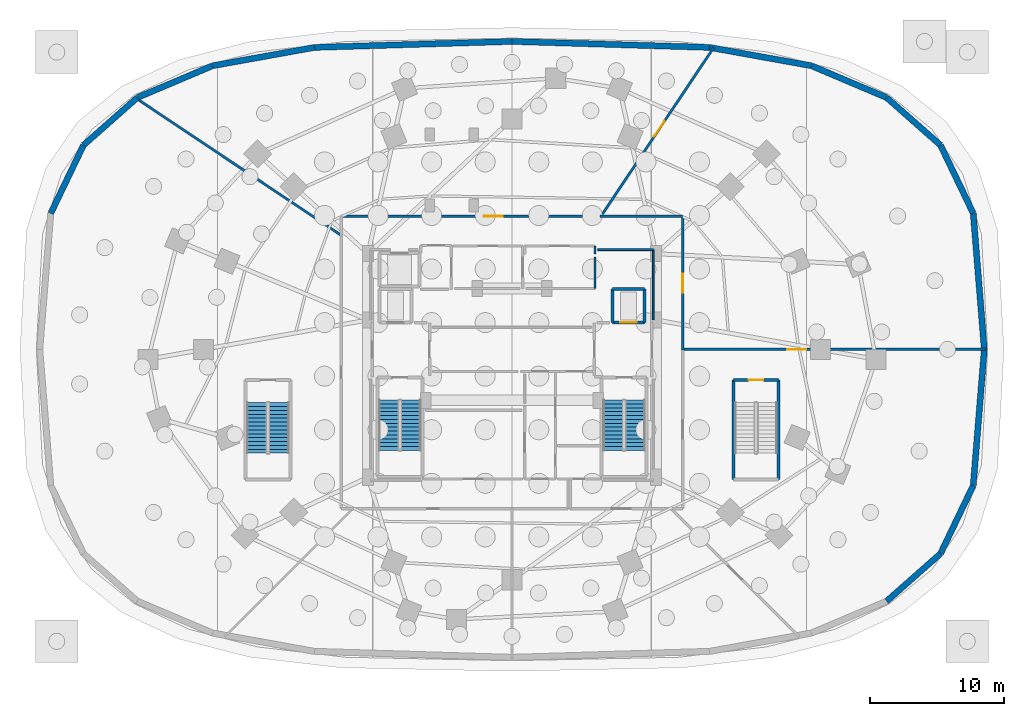
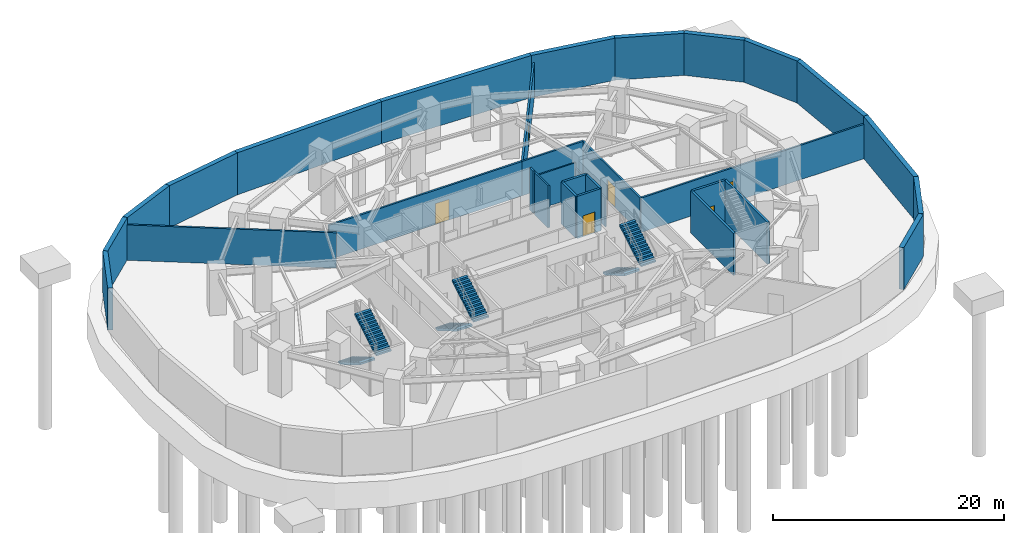
# One storey, part 6 of 9: 31 walls, 6 doors, 6 stair flights, 6 openings, 3 elements without a shape of their own.
"""IFC4 building model written with IfcOpenShell, lengths in metres."""

import ifcopenshell
import ifcopenshell.guid

model = None  # the IFC model being written
_history = None  # IfcOwnerHistory: only IFC2X3 demands one
_inside = {}  # id of a spatial element -> (the spatial element, [elements in it])
_under = {}  # id of a project, library or spatial element -> (it, [spatial elements below it])
_declared = {}  # id of a project -> (the project, [libraries it declares])
_typed = {}  # id of a type object -> (the type object, [elements of that type])
_made_of = {}  # id of a material, layer set ... -> (it, [elements and type objects made of it])


def new_model(schema):
    """Start an empty IFC model of exactly this schema.

    Asked for "IFC4X3", IfcOpenShell would pick the latest addendum, in which some entities
    have other attributes; the version numbers below select the first issue.
    IFC2X3 requires an IfcOwnerHistory on every rooted entity: one is made here for all.
    """
    global model, _history
    if schema == "IFC4X3":
        model = ifcopenshell.file(schema_version=(4, 3, 0, 0))
    else:
        model = ifcopenshell.file(schema=schema)
    _inside.clear()
    _under.clear()
    _declared.clear()
    _typed.clear()
    _made_of.clear()
    _history = None
    if model.schema == "IFC2X3":
        org = make("IfcOrganization", Name="unknown")
        user = make(
            "IfcPersonAndOrganization",
            ThePerson=make("IfcPerson", FamilyName="unknown"),
            TheOrganization=org,
        )
        app = make(
            "IfcApplication",
            ApplicationDeveloper=org,
            Version="unknown",
            ApplicationFullName="unknown",
            ApplicationIdentifier="unknown",
        )
        _history = make(
            "IfcOwnerHistory",
            OwningUser=user,
            OwningApplication=app,
            ChangeAction="ADDED",
            CreationDate=0,
        )
    return model


def make(cls, **values):
    """One entity of the class cls with the attributes given. An attribute that is None is left unset."""
    return model.create_entity(
        cls, **{name: value for name, value in values.items() if value is not None}
    )


def rooted(cls, **values):
    """An entity with a GlobalId (a new one), such as an element, a storey or a relation."""
    return make(cls, GlobalId=ifcopenshell.guid.new(), OwnerHistory=_history, **values)


def si_unit(unit_type, name, prefix=None):
    """IfcSIUnit, for example si_unit("LENGTHUNIT", "METRE", prefix="MILLI")."""
    return make("IfcSIUnit", UnitType=unit_type, Prefix=prefix, Name=name)


def assignment(units):
    """IfcUnitAssignment: the units of a project."""
    return None if units is None else make("IfcUnitAssignment", Units=units)


def point(xyz):
    """IfcCartesianPoint."""
    return None if xyz is None else make("IfcCartesianPoint", Coordinates=xyz)


def direction(xyz):
    """IfcDirection."""
    return None if xyz is None else make("IfcDirection", DirectionRatios=xyz)


def frame(location, z_axis=None, x_axis=None):
    """IfcAxis2Placement3D, a coordinate frame: its origin and axes. An axis left out is left unset."""
    return make(
        "IfcAxis2Placement3D",
        Location=point(location),
        Axis=direction(z_axis),
        RefDirection=direction(x_axis),
    )


def frame_2d(location, x_axis=None):
    """IfcAxis2Placement2D, a coordinate frame in the plane: its origin and x axis."""
    return make(
        "IfcAxis2Placement2D", Location=point(location), RefDirection=direction(x_axis)
    )


def origin():
    """The frame at (0, 0, 0) with its axes left unset."""
    return frame((0.0, 0.0, 0.0))


def place(relative_to, where):
    """IfcLocalPlacement: puts the frame where relative to a parent placement (None: the world)."""
    return make(
        "IfcLocalPlacement", PlacementRelTo=relative_to, RelativePlacement=where
    )


def context(
    kind, dimensions, precision=None, world=None, true_north=None, identifier=None
):
    """IfcGeometricRepresentationContext, for example the 3D "Model" context."""
    return make(
        "IfcGeometricRepresentationContext",
        ContextIdentifier=identifier,
        ContextType=kind,
        CoordinateSpaceDimension=dimensions,
        Precision=precision,
        WorldCoordinateSystem=world,
        TrueNorth=true_north,
    )


def subcontext(parent, identifier, kind, view, scale=None):
    """IfcGeometricRepresentationSubContext, for example "Body" below "Model"."""
    return make(
        "IfcGeometricRepresentationSubContext",
        ContextIdentifier=identifier,
        ContextType=kind,
        ParentContext=parent,
        TargetScale=scale,
        TargetView=view,
    )


def project(units=None, contexts=None):
    """IfcProject with its units and contexts."""
    return rooted(
        "IfcProject",
        Name="project",
        RepresentationContexts=contexts,
        UnitsInContext=assignment(units),
    )


def spatial(cls, under=None, at=None, **own):
    """A site, building, storey or space (cls), placed at a placement, below another one or the project."""
    s = rooted(cls, ObjectPlacement=at, **own)
    if under is not None:
        _under.setdefault(under.id(), (under, []))[1].append(s)
    return s


def polyline(points):
    """IfcPolyline through the points."""
    return make("IfcPolyline", Points=[point(p) for p in points])


def profile(cls, at=None, kind="AREA", **sizes):
    """A parametric profile (cls). Its sizes go by their IFC names, for example OverallWidth=200.0."""
    return make(cls, ProfileType=kind, Position=at, **sizes)


def rectangle(**sizes):
    """IfcRectangleProfileDef."""
    return profile("IfcRectangleProfileDef", **sizes)


def outline(outer, holes=None, kind="AREA"):
    """IfcArbitraryClosedProfileDef: a profile drawn as a closed curve; with holes, ...WithVoids."""
    if holes is None:
        return make("IfcArbitraryClosedProfileDef", ProfileType=kind, OuterCurve=outer)
    return make(
        "IfcArbitraryProfileDefWithVoids",
        ProfileType=kind,
        OuterCurve=outer,
        InnerCurves=holes,
    )


def extrude(swept, where, along, depth):
    """IfcExtrudedAreaSolid: the profile swept, set in the frame where, extruded along a direction by depth."""
    return make(
        "IfcExtrudedAreaSolid",
        SweptArea=swept,
        Position=where,
        ExtrudedDirection=direction(along),
        Depth=depth,
    )


def shape(context_of_items, identifier, shape_type, items):
    """IfcShapeRepresentation: the items that make up one representation, for example the "Body"."""
    return make(
        "IfcShapeRepresentation",
        ContextOfItems=context_of_items,
        RepresentationIdentifier=identifier,
        RepresentationType=shape_type,
        Items=items,
    )


def material(Name=None, Category=None):
    """IfcMaterial."""
    return make("IfcMaterial", Name=Name, Category=Category)


def layer(
    of_material, thickness, ventilated=None, Name=None, Category=None, Priority=None
):
    """IfcMaterialLayer: one layer of a wall or slab, of a material (None: an air gap)."""
    return make(
        "IfcMaterialLayer",
        Material=of_material,
        LayerThickness=thickness,
        IsVentilated=ventilated,
        Name=Name,
        Category=Category,
        Priority=Priority,
    )


def layer_set(layers, Name=None):
    """IfcMaterialLayerSet."""
    return make("IfcMaterialLayerSet", MaterialLayers=layers, LayerSetName=Name)


def made_of(thing, what):
    """Note that an element or type object is made of a material, layer set ...; save() writes the relation."""
    if what is not None:
        _made_of.setdefault(what.id(), (what, []))[1].append(thing)
    return thing


def type_object(cls, material=None, **own):
    """A type object (cls), such as IfcWallType, which elements share."""
    return made_of(rooted(cls, **own), material)


def element(
    cls,
    number,
    at=None,
    inside=None,
    cuts=None,
    type_object=None,
    material=None,
    context=None,
    identifier="Body",
    shape_type=None,
    held_by="IfcProductDefinitionShape",
    body=None,
    shapes=None,
    **own,
):
    """One element of the class cls, such as IfcWall. Its Tag is "e" and its number.

    at: its placement. inside: the storey or other place that contains it. cuts: it is an
    opening in that element (IfcRelVoidsElement). A single representation is given by context,
    identifier, shape_type and body (its items); several are given by shapes. held_by: the class
    of the entity that holds the representations. save() writes the other relations.
    """
    e = rooted(cls, Tag="e%d" % number, ObjectPlacement=at, **own)
    if body is not None:
        shapes = [shape(context, identifier, shape_type, body)]
    if shapes is not None:
        e.Representation = make(held_by, Representations=shapes)
    if inside is not None:
        _inside.setdefault(inside.id(), (inside, []))[1].append(e)
    if cuts is not None:
        rooted(
            "IfcRelVoidsElement", RelatingBuildingElement=cuts, RelatedOpeningElement=e
        )
    if type_object is not None:
        _typed.setdefault(type_object.id(), (type_object, []))[1].append(e)
    return made_of(e, material)


def fill(opening, filler):
    """IfcRelFillsElement: the door or window that sits in an opening."""
    return rooted(
        "IfcRelFillsElement",
        RelatingOpeningElement=opening,
        RelatedBuildingElement=filler,
    )


def aggregate(whole, parts):
    """IfcRelAggregates: a whole, such as a stair, and the parts it consists of."""
    return rooted("IfcRelAggregates", RelatingObject=whole, RelatedObjects=parts)


def save(model, path):
    """Write the relations noted so far, then the file.

    IfcRelAggregates (storeys below a building ...), IfcRelContainedInSpatialStructure (elements
    in a storey), IfcRelDefinesByType, IfcRelAssociatesMaterial and IfcRelDeclares: one each for
    every whole, place, type object, material and project.
    """
    for whole, parts in _under.values():
        aggregate(whole, parts)
    for where, things in _inside.values():
        rooted(
            "IfcRelContainedInSpatialStructure",
            RelatedElements=things,
            RelatingStructure=where,
        )
    for kind, things in _typed.values():
        rooted("IfcRelDefinesByType", RelatedObjects=things, RelatingType=kind)
    for what, things in _made_of.values():
        rooted("IfcRelAssociatesMaterial", RelatedObjects=things, RelatingMaterial=what)
    for by, libraries in _declared.values():
        rooted("IfcRelDeclares", RelatingContext=by, RelatedDefinitions=libraries)
    model.write(path)


model = new_model("IFC4")

# Units and contexts
model_context = context("Model", 3, precision=1e-05, world=origin(), true_north=direction((0.0, 1.0)))
body_context = subcontext(model_context, "Body", "Model", "MODEL_VIEW")
ifc_project = project(units=[si_unit("LENGTHUNIT", "METRE"), si_unit("AREAUNIT", "SQUARE_METRE"), si_unit("VOLUMEUNIT", "CUBIC_METRE"), si_unit("PLANEANGLEUNIT", "RADIAN"), si_unit("MASSUNIT", "GRAM", prefix="KILO")], contexts=[model_context])

# Site, building, storey
site_placement = place(None, origin())
site = spatial("IfcSite", under=ifc_project, at=site_placement, CompositionType="ELEMENT")
building_placement = place(site_placement, origin())
building = spatial("IfcBuilding", under=site, at=building_placement, Name="Vorneva Point Tower", CompositionType="ELEMENT")
storey_placement = place(building_placement, frame((0.0, 0.0, -9.60009765625)))
storey = spatial("IfcBuildingStorey", under=building, at=storey_placement, Name="B02", CompositionType="ELEMENT", Elevation=-9.60009765625)

# Wall, opening, door
ifc_material_1 = material(Name="Concrete B60 (C50/60)", Category="concrete")
ifc_layer_1 = layer(ifc_material_1, 0.5)
ifc_layer_set_1 = layer_set([ifc_layer_1], Name="Concrete B60 (C50/60)")
wall_type_1 = type_object("IfcWallType", Name="WL-CORE-500", PredefinedType="SHEAR", material=ifc_layer_set_1)
wall_1_placement = place(storey_placement, frame((45.5, 28.0, 0.0), z_axis=(0.0, 0.0, 1.0), x_axis=(1.0, 0.0, 0.0)))
wall_1 = element("IfcWall", 1, at=wall_1_placement, inside=storey, type_object=wall_type_1, Name="B02 Lift FFL2 Shaft Wall -Y", PredefinedType="SHEAR", context=body_context, shape_type="SweptSolid", body=[
    extrude(rectangle(XDim=2.39990234375, YDim=0.219970703125, at=frame_2d((1.199951171875, 0.0))), origin(), (0.0, 0.0, 1.0), 4.4501953125),
])
opening_1_placement = place(wall_1_placement, frame((0.60009765625, 0.0, 0.0)))
opening_1 = element("IfcOpeningElement", 2, at=opening_1_placement, cuts=wall_1, Name="Opening LD-02", PredefinedType="OPENING", context=body_context, shape_type="SweptSolid", body=[
    extrude(rectangle(XDim=1.199951171875, YDim=2.199951171875, at=frame_2d((0.60009765625, 1.10009765625))), frame((0.0, 0.125, 0.0), z_axis=(0.0, -1.0, 0.0), x_axis=(1.0, 0.0, 0.0)), (0.0, 0.0, 1.0), 0.249755859375),
])
ifc_material_2 = material(Name="Brushed stainless steel S304", Category="steel")
door_type_1 = type_object("IfcDoorType", Name="LD-FIRE-1200", OperationType="SLIDING_TO_LEFT", PredefinedType="DOOR", material=ifc_material_2)
door_1_placement = place(opening_1_placement, origin())
door_1 = element("IfcDoor", 3, at=door_1_placement, inside=storey, type_object=door_type_1, Name="B02 Lift FFL2 Sliding Landing Door", OperationType="SLIDING_TO_LEFT", OverallHeight=2.199951171875, OverallWidth=1.199951171875, PredefinedType="DOOR", context=body_context, shape_type="SweptSolid", body=[
    extrude(rectangle(XDim=1.199951171875, YDim=2.199951171875, at=frame_2d((0.60009765625, 1.10009765625))), frame((0.0, 0.02490234375, 0.0), z_axis=(0.0, -1.0, 0.0), x_axis=(1.0, 0.0, 0.0)), (0.0, 0.0, 1.0), 0.050048828125),
])
fill(opening_1, door_1)

# Walls
wall_2_placement = place(storey_placement, frame((47.89990234375, 28.0, 0.0), z_axis=(0.0, 0.0, 1.0), x_axis=(0.0, 1.0, 0.0)))
element("IfcWall", 4, at=wall_2_placement, inside=storey, type_object=wall_type_1, Name="B02 Lift FFL2 Shaft Wall +X", PredefinedType="SHEAR", context=body_context, shape_type="SweptSolid", body=[
    extrude(rectangle(XDim=2.5, YDim=0.219970703125, at=frame_2d((1.25, 0.0))), origin(), (0.0, 0.0, 1.0), 4.4501953125),
])
wall_3_placement = place(storey_placement, frame((47.89990234375, 30.5, 0.0), z_axis=(0.0, 0.0, 1.0), x_axis=(-1.0, 0.0, 0.0)))
element("IfcWall", 5, at=wall_3_placement, inside=storey, type_object=wall_type_1, Name="B02 Lift FFL2 Shaft Wall +Y", PredefinedType="SHEAR", context=body_context, shape_type="SweptSolid", body=[
    extrude(rectangle(XDim=2.39990234375, YDim=0.219970703125, at=frame_2d((1.199951171875, 0.0))), origin(), (0.0, 0.0, 1.0), 4.4501953125),
])
wall_4_placement = place(storey_placement, frame((45.5, 30.5, 0.0), z_axis=(0.0, 0.0, 1.0), x_axis=(0.0, -1.0, 0.0)))
element("IfcWall", 6, at=wall_4_placement, inside=storey, type_object=wall_type_1, Name="B02 Lift FFL2 Shaft Wall -X", PredefinedType="SHEAR", context=body_context, shape_type="SweptSolid", body=[
    extrude(rectangle(XDim=2.5, YDim=0.219970703125, at=frame_2d((1.25, 0.0))), origin(), (0.0, 0.0, 1.0), 4.4501953125),
])
ifc_material_3 = material(Name="Fire-rated acoustic gypsum stud partition", Category="gypsum")
ifc_layer_2 = layer(ifc_material_3, 0.139892578125)
ifc_layer_set_2 = layer_set([ifc_layer_2], Name="Fire-rated acoustic gypsum stud partition")
wall_type_2 = type_object("IfcWallType", Name="WL-PART-140", PredefinedType="PARTITIONING", material=ifc_layer_set_2)
wall_5_placement = place(storey_placement, frame((44.419921875, 33.449951171875, 0.0), z_axis=(0.0, 0.0, 1.0), x_axis=(1.0, 0.0, 0.0)))
element("IfcWall", 7, at=wall_5_placement, inside=storey, type_object=wall_type_2, Name="B02 Interior Closure Partition 052", PredefinedType="PARTITIONING", context=body_context, shape_type="SweptSolid", body=[
    extrude(rectangle(XDim=4.130126953125, YDim=0.139892578125, at=frame_2d((2.06494140625, 0.0))), origin(), (0.0, 0.0, 1.0), 3.64208984375),
])
wall_6_placement = place(storey_placement, frame((48.550048828125, 33.449951171875, 0.0), z_axis=(0.0, 0.0, 1.0), x_axis=(0.0, -1.0, 0.0)))
element("IfcWall", 8, at=wall_6_placement, inside=storey, type_object=wall_type_2, Name="B02 Interior Closure Partition 053", PredefinedType="PARTITIONING", context=body_context, shape_type="SweptSolid", body=[
    extrude(rectangle(XDim=5.25390625, YDim=0.139892578125, at=frame_2d((2.626953125, 0.0))), origin(), (0.0, 0.0, 1.0), 3.030029296875),
])
ifc_material_4 = material(Name="Autoclaved aerated concrete blockwork", Category="masonry")
ifc_layer_3 = layer(ifc_material_4, 0.179931640625)
ifc_layer_set_3 = layer_set([ifc_layer_3], Name="Autoclaved aerated concrete blockwork")
wall_type_3 = type_object("IfcWallType", Name="WL-PART-180", PredefinedType="PARTITIONING", material=ifc_layer_set_3)
wall_7_placement = place(storey_placement, frame((44.199951171875, 33.110107421875, 0.0), z_axis=(0.0, 0.0, 1.0), x_axis=(0.0, 1.0, 0.0)))
element("IfcWall", 9, at=wall_7_placement, inside=storey, type_object=wall_type_3, Name="B02 Interior Partition 019", PredefinedType="PARTITIONING", context=body_context, shape_type="SweptSolid", body=[
    extrude(rectangle(XDim=0.60986328125, YDim=0.179931640625, at=frame_2d((0.304931640625, 0.0))), origin(), (0.0, 0.0, 1.0), 4.4501953125),
])

# Wall, opening, door
wall_8_placement = place(storey_placement, frame((50.75, 25.93994140625, 0.0), z_axis=(0.0, 0.0, 1.0), x_axis=(0.0, 1.0, 0.0)))
wall_8 = element("IfcWall", 10, at=wall_8_placement, inside=storey, type_object=wall_type_3, Name="B02 Interior Partition 023", PredefinedType="PARTITIONING", context=body_context, shape_type="SweptSolid", body=[
    extrude(rectangle(XDim=10.010009765625, YDim=0.179931640625, at=frame_2d((5.0048828125, 0.0))), origin(), (0.0, 0.0, 1.0), 3.64208984375),
])
opening_2_placement = place(wall_8_placement, frame((4.304931640625, 0.0, 0.0)))
opening_2 = element("IfcOpeningElement", 11, at=opening_2_placement, cuts=wall_8, Name="Opening FD-03", PredefinedType="OPENING", context=body_context, shape_type="SweptSolid", body=[
    extrude(rectangle(XDim=1.39990234375, YDim=2.199951171875, at=frame_2d((0.699951171875, 1.10009765625))), frame((0.0, 0.10498046875, 0.0), z_axis=(0.0, -1.0, 0.0), x_axis=(1.0, 0.0, 0.0)), (0.0, 0.0, 1.0), 0.209716796875),
])
ifc_material_5 = material(Name="Fire-rated powder-coated steel", Category="steel")
door_type_2 = type_object("IfcDoorType", Name="DR-PLT-1400", OperationType="DOUBLE_SWING_LEFT", PredefinedType="DOOR", material=ifc_material_5)
door_2_placement = place(opening_2_placement, origin())
door_2 = element("IfcDoor", 12, at=door_2_placement, inside=storey, type_object=door_type_2, Name="B02 Door B02 Circulation Corridor / Substructure Mechanical Plant East", OperationType="DOUBLE_SWING_LEFT", OverallHeight=2.199951171875, OverallWidth=1.39990234375, PredefinedType="DOOR", context=body_context, shape_type="SweptSolid", body=[
    extrude(rectangle(XDim=1.39990234375, YDim=2.199951171875, at=frame_2d((0.699951171875, 1.10009765625))), frame((0.0, 0.02490234375, 0.0), z_axis=(0.0, -1.0, 0.0), x_axis=(1.0, 0.0, 0.0)), (0.0, 0.0, 1.0), 0.050048828125),
])
fill(opening_2, door_2)

# Wall
wall_9_placement = place(storey_placement, frame((50.75, 35.949951171875, 0.0), z_axis=(0.0, 0.0, 1.0), x_axis=(-1.0, 0.0, 0.0)))
element("IfcWall", 13, at=wall_9_placement, inside=storey, type_object=wall_type_3, Name="B02 Interior Partition 024", PredefinedType="PARTITIONING", context=body_context, shape_type="SweptSolid", body=[
    extrude(rectangle(XDim=6.162109375, YDim=0.179931640625, at=frame_2d((3.0810546875, 0.0))), origin(), (0.0, 0.0, 1.0), 3.64208984375),
])

# Wall, opening, door
wall_10_placement = place(storey_placement, frame((44.587890625, 35.949951171875, 0.0), z_axis=(0.0, 0.0, 1.0), x_axis=(-1.0, 0.0, 0.0)))
wall_10 = element("IfcWall", 14, at=wall_10_placement, inside=storey, type_object=wall_type_3, Name="B02 Interior Partition 025", PredefinedType="PARTITIONING", context=body_context, shape_type="SweptSolid", body=[
    extrude(rectangle(XDim=19.337890625, YDim=0.179931640625, at=frame_2d((9.6689453125, 0.0))), origin(), (0.0, 0.0, 1.0), 3.64208984375),
])
opening_3_placement = place(wall_10_placement, frame((7.2890625, 0.0, 0.0)))
opening_3 = element("IfcOpeningElement", 15, at=opening_3_placement, cuts=wall_10, Name="Opening FD-03", PredefinedType="OPENING", context=body_context, shape_type="SweptSolid", body=[
    extrude(rectangle(XDim=1.39990234375, YDim=2.199951171875, at=frame_2d((0.699951171875, 1.10009765625))), frame((0.0, 0.10498046875, 0.0), z_axis=(0.0, -1.0, 0.0), x_axis=(1.0, 0.0, 0.0)), (0.0, 0.0, 1.0), 0.209716796875),
])
door_3_placement = place(opening_3_placement, origin())
door_3 = element("IfcDoor", 16, at=door_3_placement, inside=storey, type_object=door_type_2, Name="B02 Door B02 Circulation Corridor / Basement Service Equipment Plant Room North", OperationType="DOUBLE_SWING_LEFT", OverallHeight=2.199951171875, OverallWidth=1.39990234375, PredefinedType="DOOR", context=body_context, shape_type="SweptSolid", body=[
    extrude(rectangle(XDim=1.39990234375, YDim=2.199951171875, at=frame_2d((0.699951171875, 1.10009765625))), frame((0.0, 0.02490234375, 0.0), z_axis=(0.0, -1.0, 0.0), x_axis=(1.0, 0.0, 0.0)), (0.0, 0.0, 1.0), 0.050048828125),
])
fill(opening_3, door_3)

wall_11_placement = place(storey_placement, frame((53.055908203125, 48.532958984375, 0.0), z_axis=(0.0, 0.0, 1.0), x_axis=(-0.555582200118, -0.831461616019, 0.0)))
wall_11 = element("IfcWall", 17, at=wall_11_placement, inside=storey, type_object=wall_type_3, Name="B02 Interior Partition 036", PredefinedType="PARTITIONING", context=body_context, shape_type="SweptSolid", body=[
    extrude(rectangle(XDim=15.133544921875, YDim=0.179931640625, at=frame_2d((7.56689453125, 0.0))), origin(), (0.0, 0.0, 1.0), 3.64208984375),
])
opening_4_placement = place(wall_11_placement, frame((6.5869140625, 0.0, 0.0)))
opening_4 = element("IfcOpeningElement", 18, at=opening_4_placement, cuts=wall_11, Name="Opening FD-03", PredefinedType="OPENING", context=body_context, shape_type="SweptSolid", body=[
    extrude(rectangle(XDim=1.39990234375, YDim=2.199951171875, at=frame_2d((0.699951171875, 1.10009765625))), frame((0.0, 0.10498046875, 0.0), z_axis=(0.0, -1.0, 0.0), x_axis=(1.0, 0.0, 0.0)), (0.0, 0.0, 1.0), 0.209716796875),
])
door_4_placement = place(opening_4_placement, origin())
door_4 = element("IfcDoor", 19, at=door_4_placement, inside=storey, type_object=door_type_2, Name="B02 Door Substructure Mechanical Plant East / Basement Service Equipment Plant Room North", OperationType="DOUBLE_SWING_LEFT", OverallHeight=2.199951171875, OverallWidth=1.39990234375, PredefinedType="DOOR", context=body_context, shape_type="SweptSolid", body=[
    extrude(rectangle(XDim=1.39990234375, YDim=2.199951171875, at=frame_2d((0.699951171875, 1.10009765625))), frame((0.0, 0.02490234375, 0.0), z_axis=(0.0, -1.0, 0.0), x_axis=(1.0, 0.0, 0.0)), (0.0, 0.0, 1.0), 0.050048828125),
])
fill(opening_4, door_4)

wall_12_placement = place(storey_placement, frame((50.75, 26.0, 0.0), z_axis=(0.0, 0.0, 1.0), x_axis=(1.0, 0.0, 0.0)))
wall_12 = element("IfcWall", 20, at=wall_12_placement, inside=storey, type_object=wall_type_3, Name="B02 Interior Partition 037", PredefinedType="PARTITIONING", context=body_context, shape_type="SweptSolid", body=[
    extrude(rectangle(XDim=22.625, YDim=0.179931640625, at=frame_2d((11.3125, 0.0))), origin(), (0.0, 0.0, 1.0), 3.64208984375),
])
opening_5_placement = place(wall_12_placement, frame((7.8125, 0.0, 0.0)))
opening_5 = element("IfcOpeningElement", 21, at=opening_5_placement, cuts=wall_12, Name="Opening FD-03", PredefinedType="OPENING", context=body_context, shape_type="SweptSolid", body=[
    extrude(rectangle(XDim=1.39990234375, YDim=2.199951171875, at=frame_2d((0.699951171875, 1.10009765625))), frame((0.0, 0.10498046875, 0.0), z_axis=(0.0, -1.0, 0.0), x_axis=(1.0, 0.0, 0.0)), (0.0, 0.0, 1.0), 0.209716796875),
])
door_5_placement = place(opening_5_placement, origin())
door_5 = element("IfcDoor", 22, at=door_5_placement, inside=storey, type_object=door_type_2, Name="B02 Door Substructure Mechanical Plant East / Substation and Switchgear Plant Room", OperationType="DOUBLE_SWING_LEFT", OverallHeight=2.199951171875, OverallWidth=1.39990234375, PredefinedType="DOOR", context=body_context, shape_type="SweptSolid", body=[
    extrude(rectangle(XDim=1.39990234375, YDim=2.199951171875, at=frame_2d((0.699951171875, 1.10009765625))), frame((0.0, 0.02490234375, 0.0), z_axis=(0.0, -1.0, 0.0), x_axis=(1.0, 0.0, 0.0)), (0.0, 0.0, 1.0), 0.050048828125),
])
fill(opening_5, door_5)

# Walls
wall_13_placement = place(storey_placement, frame((9.830078125, 44.822021484375, 0.0), z_axis=(0.0, 0.0, 1.0), x_axis=(0.831476683344, -0.555559650313, 0.0)))
element("IfcWall", 23, at=wall_13_placement, inside=storey, type_object=wall_type_3, Name="B02 Interior Partition 038", PredefinedType="PARTITIONING", context=body_context, shape_type="SweptSolid", body=[
    extrude(rectangle(XDim=18.545166015625, YDim=0.179931640625, at=frame_2d((9.2724609375, 0.0))), origin(), (0.0, 0.0, 1.0), 3.739013671875),
])
wall_14_placement = place(storey_placement, frame((44.199951171875, 30.550048828125, 0.0), z_axis=(0.0, 0.0, 1.0), x_axis=(0.0, 1.0, 0.0)))
element("IfcWall", 24, at=wall_14_placement, inside=storey, type_object=wall_type_3, Name="B02 Interior Closure Partition 050", PredefinedType="PARTITIONING", context=body_context, shape_type="SweptSolid", body=[
    extrude(rectangle(XDim=2.33984375, YDim=0.179931640625, at=frame_2d((1.169921875, 0.0))), origin(), (0.0, 0.0, 1.0), 4.4501953125),
])
ifc_layer_4 = layer(ifc_material_1, 0.449951171875)
ifc_layer_set_4 = layer_set([ifc_layer_4], Name="Concrete B60 (C50/60)")
wall_type_4 = type_object("IfcWallType", Name="WL-RET-450", PredefinedType="SOLIDWALL", material=ifc_layer_set_4)
wall_15_placement = place(storey_placement, frame((73.271240234375, 26.0, 0.0), z_axis=(0.0, 0.0, 1.0), x_axis=(-0.080835799126, 0.996727431939, 0.0)))
element("IfcWall", 25, at=wall_15_placement, inside=storey, type_object=wall_type_4, Name="B02 Perimeter Retaining Wall 01", PredefinedType="SOLIDWALL", context=body_context, shape_type="SweptSolid", body=[
    extrude(rectangle(XDim=10.1962890625, YDim=0.449951171875, at=frame_2d((5.09814453125, 0.0))), origin(), (0.0, 0.0, 1.0), 4.4501953125),
])
wall_16_placement = place(storey_placement, frame((72.447021484375, 36.162841796875, 0.0), z_axis=(0.0, 0.0, 1.0), x_axis=(-0.433120243411, 0.901336149695, 0.0)))
element("IfcWall", 26, at=wall_16_placement, inside=storey, type_object=wall_type_4, Name="B02 Perimeter Retaining Wall 02", PredefinedType="SOLIDWALL", context=body_context, shape_type="SweptSolid", body=[
    extrude(rectangle(XDim=5.648681640625, YDim=0.449951171875, at=frame_2d((2.82421875, 0.0))), origin(), (0.0, 0.0, 1.0), 4.4501953125),
])
wall_17_placement = place(storey_placement, frame((70.00048828125, 41.254150390625, 0.0), z_axis=(0.0, 0.0, 1.0), x_axis=(-0.749561336725, 0.661934892937, 0.0)))
element("IfcWall", 27, at=wall_17_placement, inside=storey, type_object=wall_type_4, Name="B02 Perimeter Retaining Wall 03", PredefinedType="SOLIDWALL", context=body_context, shape_type="SweptSolid", body=[
    extrude(rectangle(XDim=5.360595703125, YDim=0.449951171875, at=frame_2d((2.68017578125, 0.0))), origin(), (0.0, 0.0, 1.0), 4.4501953125),
])
wall_18_placement = place(storey_placement, frame((65.982421875, 44.802490234375, 0.0), z_axis=(0.0, 0.0, 1.0), x_axis=(-0.92081090532, 0.390009328919, 0.0)))
element("IfcWall", 28, at=wall_18_placement, inside=storey, type_object=wall_type_4, Name="B02 Perimeter Retaining Wall 04", PredefinedType="SOLIDWALL", context=body_context, shape_type="SweptSolid", body=[
    extrude(rectangle(XDim=6.10205078125, YDim=0.449951171875, at=frame_2d((3.051025390625, 0.0))), origin(), (0.0, 0.0, 1.0), 4.4501953125),
])
wall_19_placement = place(storey_placement, frame((60.363525390625, 47.182373046875, 0.0), z_axis=(0.0, 0.0, 1.0), x_axis=(-0.984238318617, 0.176847200051, 0.0)))
element("IfcWall", 29, at=wall_19_placement, inside=storey, type_object=wall_type_4, Name="B02 Perimeter Retaining Wall 05", PredefinedType="SOLIDWALL", context=body_context, shape_type="SweptSolid", body=[
    extrude(rectangle(XDim=7.748779296875, YDim=0.449951171875, at=frame_2d((3.87451171875, 0.0))), origin(), (0.0, 0.0, 1.0), 4.4501953125),
])
for number, where, z_axis, x_axis, name in (
    (30, (52.73681640625, 48.552734375, 0.0), (0.0, 0.0, 1.0), (-0.999540251976, 0.030319707786, 0.0), "B02 Perimeter Retaining Wall 06"),
    (31, (38.0, 48.999755859375, 0.0), (0.0, 0.0, 1.0), (-0.999540251976, -0.030319707786, 0.0), "B02 Perimeter Retaining Wall 07"),
):
    element("IfcWall", number, at=place(storey_placement, frame(where, z_axis=z_axis, x_axis=x_axis)), inside=storey, type_object=wall_type_4, Name=name, PredefinedType="SOLIDWALL", context=body_context, shape_type="SweptSolid", body=[
        extrude(rectangle(XDim=14.74365234375, YDim=0.449951171875, at=frame_2d((7.371826171875, 0.0))), origin(), (0.0, 0.0, 1.0), 4.4501953125),
    ])
wall_20_placement = place(storey_placement, frame((23.26318359375, 48.552734375, 0.0), z_axis=(0.0, 0.0, 1.0), x_axis=(-0.984238318617, -0.176847200051, 0.0)))
element("IfcWall", 32, at=wall_20_placement, inside=storey, type_object=wall_type_4, Name="B02 Perimeter Retaining Wall 08", PredefinedType="SOLIDWALL", context=body_context, shape_type="SweptSolid", body=[
    extrude(rectangle(XDim=7.748779296875, YDim=0.449951171875, at=frame_2d((3.87451171875, 0.0))), origin(), (0.0, 0.0, 1.0), 4.4501953125),
])
wall_21_placement = place(storey_placement, frame((15.636474609375, 47.182373046875, 0.0), z_axis=(0.0, 0.0, 1.0), x_axis=(-0.92081090532, -0.390009328919, 0.0)))
element("IfcWall", 33, at=wall_21_placement, inside=storey, type_object=wall_type_4, Name="B02 Perimeter Retaining Wall 09", PredefinedType="SOLIDWALL", context=body_context, shape_type="SweptSolid", body=[
    extrude(rectangle(XDim=6.10205078125, YDim=0.449951171875, at=frame_2d((3.051025390625, 0.0))), origin(), (0.0, 0.0, 1.0), 4.4501953125),
])
wall_22_placement = place(storey_placement, frame((10.017578125, 44.802490234375, 0.0), z_axis=(0.0, 0.0, 1.0), x_axis=(-0.749561336725, -0.661934892937, 0.0)))
element("IfcWall", 34, at=wall_22_placement, inside=storey, type_object=wall_type_4, Name="B02 Perimeter Retaining Wall 10", PredefinedType="SOLIDWALL", context=body_context, shape_type="SweptSolid", body=[
    extrude(rectangle(XDim=5.360595703125, YDim=0.449951171875, at=frame_2d((2.68017578125, 0.0))), origin(), (0.0, 0.0, 1.0), 4.4501953125),
])
wall_23_placement = place(storey_placement, frame((5.99951171875, 41.254150390625, 0.0), z_axis=(0.0, 0.0, 1.0), x_axis=(-0.433120243411, -0.901336149695, 0.0)))
element("IfcWall", 35, at=wall_23_placement, inside=storey, type_object=wall_type_4, Name="B02 Perimeter Retaining Wall 11", PredefinedType="SOLIDWALL", context=body_context, shape_type="SweptSolid", body=[
    extrude(rectangle(XDim=5.648681640625, YDim=0.449951171875, at=frame_2d((2.82421875, 0.0))), origin(), (0.0, 0.0, 1.0), 4.4501953125),
])
wall_24_placement = place(storey_placement, frame((65.982421875, 7.197509765625, 0.0), z_axis=(0.0, 0.0, 1.0), x_axis=(0.749561336725, 0.661934892937, 0.0)))
element("IfcWall", 36, at=wall_24_placement, inside=storey, type_object=wall_type_4, Name="B02 Perimeter Retaining Wall 22", PredefinedType="SOLIDWALL", context=body_context, shape_type="SweptSolid", body=[
    extrude(rectangle(XDim=5.360595703125, YDim=0.449951171875, at=frame_2d((2.68017578125, 0.0))), origin(), (0.0, 0.0, 1.0), 4.4501953125),
])
wall_25_placement = place(storey_placement, frame((70.00048828125, 10.745849609375, 0.0), z_axis=(0.0, 0.0, 1.0), x_axis=(0.433120243411, 0.901336149695, 0.0)))
element("IfcWall", 37, at=wall_25_placement, inside=storey, type_object=wall_type_4, Name="B02 Perimeter Retaining Wall 23", PredefinedType="SOLIDWALL", context=body_context, shape_type="SweptSolid", body=[
    extrude(rectangle(XDim=5.648681640625, YDim=0.449951171875, at=frame_2d((2.82421875, 0.0))), origin(), (0.0, 0.0, 1.0), 4.4501953125),
])
wall_26_placement = place(storey_placement, frame((72.447021484375, 15.837158203125, 0.0), z_axis=(0.0, 0.0, 1.0), x_axis=(0.080835799126, 0.996727431939, 0.0)))
element("IfcWall", 38, at=wall_26_placement, inside=storey, type_object=wall_type_4, Name="B02 Perimeter Retaining Wall 24", PredefinedType="SOLIDWALL", context=body_context, shape_type="SweptSolid", body=[
    extrude(rectangle(XDim=10.1962890625, YDim=0.449951171875, at=frame_2d((5.09814453125, 0.0))), origin(), (0.0, 0.0, 1.0), 4.4501953125),
])

# Wall, opening, door
ifc_material_6 = material(Name="Concrete B50 (C40/50)", Category="concrete")
ifc_layer_5 = layer(ifc_material_6, 0.219970703125)
ifc_layer_set_5 = layer_set([ifc_layer_5], Name="Concrete B50 (C40/50)")
wall_type_5 = type_object("IfcWallType", Name="WL-SHFT-220", PredefinedType="SOLIDWALL", material=ifc_layer_set_5)
wall_27_placement = place(storey_placement, frame((54.5400390625, 23.7099609375, 0.0), z_axis=(0.0, 0.0, 1.0), x_axis=(1.0, 0.0, 0.0)))
wall_27 = element("IfcWall", 39, at=wall_27_placement, inside=storey, type_object=wall_type_5, Name="B02 Exit Stair ST4 Shaft Wall near", PredefinedType="SOLIDWALL", context=body_context, shape_type="SweptSolid", body=[
    extrude(rectangle(XDim=3.369873046875, YDim=0.219970703125, at=frame_2d((1.68505859375, 0.0))), origin(), (0.0, 0.0, 1.0), 4.4501953125),
])
opening_6_placement = place(wall_27_placement, frame((1.135009765625, 0.0, 0.0)))
opening_6 = element("IfcOpeningElement", 40, at=opening_6_placement, cuts=wall_27, Name="Opening FD-01", PredefinedType="OPENING", context=body_context, shape_type="SweptSolid", body=[
    extrude(rectangle(XDim=1.10009765625, YDim=2.14990234375, at=frame_2d((0.550048828125, 1.074951171875))), frame((0.0, 0.125, 0.0), z_axis=(0.0, -1.0, 0.0), x_axis=(1.0, 0.0, 0.0)), (0.0, 0.0, 1.0), 0.249755859375),
])
door_type_3 = type_object("IfcDoorType", Name="DR-STAIR-1100", OperationType="NOTDEFINED", PredefinedType="DOOR", material=ifc_material_5)
door_6_placement = place(opening_6_placement, origin())
door_6 = element("IfcDoor", 41, at=door_6_placement, inside=storey, type_object=door_type_3, Name="B02 Exit Stair ST4 Fire Door", OperationType="SINGLE_SWING_LEFT", OverallHeight=2.14990234375, OverallWidth=1.10009765625, PredefinedType="DOOR", context=body_context, shape_type="SweptSolid", body=[
    extrude(rectangle(XDim=1.10009765625, YDim=2.14990234375, at=frame_2d((0.550048828125, 1.074951171875))), frame((0.0, 0.02490234375, 0.0), z_axis=(0.0, -1.0, 0.0), x_axis=(1.0, 0.0, 0.0)), (0.0, 0.0, 1.0), 0.050048828125),
])
fill(opening_6, door_6)

# Walls
for number, where, z_axis, x_axis, name in (
    (42, (57.909912109375, 23.7099609375, 0.0), (0.0, 0.0, 1.0), (0.0, -1.0, 0.0), "B02 Exit Stair ST4 Shaft Wall right"),
    (43, (54.5400390625, 16.2900390625, 0.0), (0.0, 0.0, 1.0), (0.0, 1.0, 0.0), "B02 Exit Stair ST4 Shaft Wall left"),
):
    element("IfcWall", number, at=place(storey_placement, frame(where, z_axis=z_axis, x_axis=x_axis)), inside=storey, type_object=wall_type_5, Name=name, PredefinedType="SOLIDWALL", context=body_context, shape_type="SweptSolid", body=[
        extrude(rectangle(XDim=7.419921875, YDim=0.219970703125, at=frame_2d((3.7099609375, 0.0))), origin(), (0.0, 0.0, 1.0), 4.4501953125),
    ])

# Stair, stair flights
stair_type = type_object("IfcStairType", Name="ST-DOG-1500", PredefinedType="HALF_TURN_STAIR", material=ifc_material_6)
stair_1_placement = place(storey_placement, origin())
stair_1 = element("IfcStair", 44, at=stair_1_placement, inside=storey, type_object=stair_type, Name="B02 ST1", PredefinedType="HALF_TURN_STAIR")
stair_flight_type = type_object("IfcStairFlightType", Name="STF-1500", PredefinedType="STRAIGHT", material=ifc_material_6)
stair_flight_1_placement = place(storey_placement, frame((28.800048828125, 22.219970703125, 0.0), z_axis=(0.0, 0.0, 1.0), x_axis=(0.0, -1.0, 0.0)))
stair_flight_1 = element("IfcStairFlight", 45, at=stair_flight_1_placement, type_object=stair_flight_type, Name="ST1 flight 1", NumberOfRisers=14, NumberOfTreads=13, PredefinedType="STRAIGHT", RiserHeight=0.171428571, TreadLength=0.29, context=body_context, shape_type="SweptSolid", body=[
    extrude(outline(polyline([(0.0, 0.0), (0.0, 0.17138671875), (0.2900390625, 0.17138671875), (0.2900390625, 0.3427734375), (0.580078125, 0.3427734375), (0.580078125, 0.514404296875), (0.8701171875, 0.514404296875), (0.8701171875, 0.685791015625), (1.159912109375, 0.685791015625), (1.159912109375, 0.857177734375), (1.449951171875, 0.857177734375), (1.449951171875, 1.028564453125), (1.739990234375, 1.028564453125), (1.739990234375, 1.199951171875), (2.030029296875, 1.199951171875), (2.030029296875, 1.371337890625), (2.320068359375, 1.371337890625), (2.320068359375, 1.54296875), (2.610107421875, 1.54296875), (2.610107421875, 1.71435546875), (2.89990234375, 1.71435546875), (2.89990234375, 1.8857421875), (3.18994140625, 1.8857421875), (3.18994140625, 2.05712890625), (3.47998046875, 2.05712890625), (3.47998046875, 2.228515625), (3.77001953125, 2.228515625), (3.77001953125, 2.39990234375), (3.77001953125, 2.01953125), (0.353515625, 0.0), (0.0, 0.0)])), frame((0.0, 0.75, 0.0), z_axis=(0.0, -1.0, 0.0), x_axis=(1.0, 0.0, 0.0)), (0.0, 0.0, 1.0), 1.5),
])
stair_flight_2_placement = place(storey_placement, frame((30.449951171875, 18.449951171875, 2.400146484375), z_axis=(0.0, 0.0, 1.0), x_axis=(0.0, 1.0, 0.0)))
stair_flight_2 = element("IfcStairFlight", 46, at=stair_flight_2_placement, type_object=stair_flight_type, Name="ST1 flight 2", NumberOfRisers=14, NumberOfTreads=13, PredefinedType="STRAIGHT", RiserHeight=0.171428571, TreadLength=0.29, context=body_context, shape_type="SweptSolid", body=[
    extrude(outline(polyline([(0.0, 0.0), (0.0, 0.17138671875), (0.2900390625, 0.17138671875), (0.2900390625, 0.3427734375), (0.580078125, 0.3427734375), (0.580078125, 0.514404296875), (0.8701171875, 0.514404296875), (0.8701171875, 0.685791015625), (1.159912109375, 0.685791015625), (1.159912109375, 0.857177734375), (1.449951171875, 0.857177734375), (1.449951171875, 1.028564453125), (1.739990234375, 1.028564453125), (1.739990234375, 1.199951171875), (2.030029296875, 1.199951171875), (2.030029296875, 1.371337890625), (2.320068359375, 1.371337890625), (2.320068359375, 1.54296875), (2.610107421875, 1.54296875), (2.610107421875, 1.71435546875), (2.89990234375, 1.71435546875), (2.89990234375, 1.8857421875), (3.18994140625, 1.8857421875), (3.18994140625, 2.05712890625), (3.47998046875, 2.05712890625), (3.47998046875, 2.228515625), (3.77001953125, 2.228515625), (3.77001953125, 2.39990234375), (3.77001953125, 2.01953125), (0.353515625, 0.0), (0.0, 0.0)])), frame((0.0, 0.75, 0.0), z_axis=(0.0, -1.0, 0.0), x_axis=(1.0, 0.0, 0.0)), (0.0, 0.0, 1.0), 1.5),
])
aggregate(stair_1, [stair_flight_1, stair_flight_2])

stair_2_placement = place(storey_placement, origin())
stair_2 = element("IfcStair", 47, at=stair_2_placement, inside=storey, type_object=stair_type, Name="B02 ST2", PredefinedType="HALF_TURN_STAIR")
stair_flight_3_placement = place(storey_placement, frame((45.550048828125, 22.219970703125, 0.0), z_axis=(0.0, 0.0, 1.0), x_axis=(0.0, -1.0, 0.0)))
stair_flight_3 = element("IfcStairFlight", 48, at=stair_flight_3_placement, type_object=stair_flight_type, Name="ST2 flight 1", NumberOfRisers=14, NumberOfTreads=13, PredefinedType="STRAIGHT", RiserHeight=0.171428571, TreadLength=0.29, context=body_context, shape_type="SweptSolid", body=[
    extrude(outline(polyline([(0.0, 0.0), (0.0, 0.17138671875), (0.2900390625, 0.17138671875), (0.2900390625, 0.3427734375), (0.580078125, 0.3427734375), (0.580078125, 0.514404296875), (0.8701171875, 0.514404296875), (0.8701171875, 0.685791015625), (1.159912109375, 0.685791015625), (1.159912109375, 0.857177734375), (1.449951171875, 0.857177734375), (1.449951171875, 1.028564453125), (1.739990234375, 1.028564453125), (1.739990234375, 1.199951171875), (2.030029296875, 1.199951171875), (2.030029296875, 1.371337890625), (2.320068359375, 1.371337890625), (2.320068359375, 1.54296875), (2.610107421875, 1.54296875), (2.610107421875, 1.71435546875), (2.89990234375, 1.71435546875), (2.89990234375, 1.8857421875), (3.18994140625, 1.8857421875), (3.18994140625, 2.05712890625), (3.47998046875, 2.05712890625), (3.47998046875, 2.228515625), (3.77001953125, 2.228515625), (3.77001953125, 2.39990234375), (3.77001953125, 2.01953125), (0.353515625, 0.0), (0.0, 0.0)])), frame((0.0, 0.75, 0.0), z_axis=(0.0, -1.0, 0.0), x_axis=(1.0, 0.0, 0.0)), (0.0, 0.0, 1.0), 1.5),
])
stair_flight_4_placement = place(storey_placement, frame((47.199951171875, 18.449951171875, 2.400146484375), z_axis=(0.0, 0.0, 1.0), x_axis=(0.0, 1.0, 0.0)))
stair_flight_4 = element("IfcStairFlight", 49, at=stair_flight_4_placement, type_object=stair_flight_type, Name="ST2 flight 2", NumberOfRisers=14, NumberOfTreads=13, PredefinedType="STRAIGHT", RiserHeight=0.171428571, TreadLength=0.29, context=body_context, shape_type="SweptSolid", body=[
    extrude(outline(polyline([(0.0, 0.0), (0.0, 0.17138671875), (0.2900390625, 0.17138671875), (0.2900390625, 0.3427734375), (0.580078125, 0.3427734375), (0.580078125, 0.514404296875), (0.8701171875, 0.514404296875), (0.8701171875, 0.685791015625), (1.159912109375, 0.685791015625), (1.159912109375, 0.857177734375), (1.449951171875, 0.857177734375), (1.449951171875, 1.028564453125), (1.739990234375, 1.028564453125), (1.739990234375, 1.199951171875), (2.030029296875, 1.199951171875), (2.030029296875, 1.371337890625), (2.320068359375, 1.371337890625), (2.320068359375, 1.54296875), (2.610107421875, 1.54296875), (2.610107421875, 1.71435546875), (2.89990234375, 1.71435546875), (2.89990234375, 1.8857421875), (3.18994140625, 1.8857421875), (3.18994140625, 2.05712890625), (3.47998046875, 2.05712890625), (3.47998046875, 2.228515625), (3.77001953125, 2.228515625), (3.77001953125, 2.39990234375), (3.77001953125, 2.01953125), (0.353515625, 0.0), (0.0, 0.0)])), frame((0.0, 0.75, 0.0), z_axis=(0.0, -1.0, 0.0), x_axis=(1.0, 0.0, 0.0)), (0.0, 0.0, 1.0), 1.5),
])
aggregate(stair_2, [stair_flight_3, stair_flight_4])

stair_3_placement = place(storey_placement, origin())
stair_3 = element("IfcStair", 50, at=stair_3_placement, inside=storey, type_object=stair_type, Name="B02 ST3", PredefinedType="HALF_TURN_STAIR")
stair_flight_5_placement = place(storey_placement, frame((18.949951171875, 22.02001953125, 0.0), z_axis=(0.0, 0.0, 1.0), x_axis=(0.0, -1.0, 0.0)))
stair_flight_5 = element("IfcStairFlight", 51, at=stair_flight_5_placement, type_object=stair_flight_type, Name="ST3 flight 1", NumberOfRisers=14, NumberOfTreads=13, PredefinedType="STRAIGHT", RiserHeight=0.171428571, TreadLength=0.29, context=body_context, shape_type="SweptSolid", body=[
    extrude(outline(polyline([(0.0, 0.0), (0.0, 0.17138671875), (0.2900390625, 0.17138671875), (0.2900390625, 0.3427734375), (0.580078125, 0.3427734375), (0.580078125, 0.514404296875), (0.8701171875, 0.514404296875), (0.8701171875, 0.685791015625), (1.159912109375, 0.685791015625), (1.159912109375, 0.857177734375), (1.449951171875, 0.857177734375), (1.449951171875, 1.028564453125), (1.739990234375, 1.028564453125), (1.739990234375, 1.199951171875), (2.030029296875, 1.199951171875), (2.030029296875, 1.371337890625), (2.320068359375, 1.371337890625), (2.320068359375, 1.54296875), (2.610107421875, 1.54296875), (2.610107421875, 1.71435546875), (2.89990234375, 1.71435546875), (2.89990234375, 1.8857421875), (3.18994140625, 1.8857421875), (3.18994140625, 2.05712890625), (3.47998046875, 2.05712890625), (3.47998046875, 2.228515625), (3.77001953125, 2.228515625), (3.77001953125, 2.39990234375), (3.77001953125, 2.01953125), (0.353515625, 0.0), (0.0, 0.0)])), frame((0.0, 0.75, 0.0), z_axis=(0.0, -1.0, 0.0), x_axis=(1.0, 0.0, 0.0)), (0.0, 0.0, 1.0), 1.5),
])
stair_flight_6_placement = place(storey_placement, frame((20.60009765625, 18.25, 2.400146484375), z_axis=(0.0, 0.0, 1.0), x_axis=(0.0, 1.0, 0.0)))
stair_flight_6 = element("IfcStairFlight", 52, at=stair_flight_6_placement, type_object=stair_flight_type, Name="ST3 flight 2", NumberOfRisers=14, NumberOfTreads=13, PredefinedType="STRAIGHT", RiserHeight=0.171428571, TreadLength=0.29, context=body_context, shape_type="SweptSolid", body=[
    extrude(outline(polyline([(0.0, 0.0), (0.0, 0.17138671875), (0.2900390625, 0.17138671875), (0.2900390625, 0.3427734375), (0.580078125, 0.3427734375), (0.580078125, 0.514404296875), (0.8701171875, 0.514404296875), (0.8701171875, 0.685791015625), (1.159912109375, 0.685791015625), (1.159912109375, 0.857177734375), (1.449951171875, 0.857177734375), (1.449951171875, 1.028564453125), (1.739990234375, 1.028564453125), (1.739990234375, 1.199951171875), (2.030029296875, 1.199951171875), (2.030029296875, 1.371337890625), (2.320068359375, 1.371337890625), (2.320068359375, 1.54296875), (2.610107421875, 1.54296875), (2.610107421875, 1.71435546875), (2.89990234375, 1.71435546875), (2.89990234375, 1.8857421875), (3.18994140625, 1.8857421875), (3.18994140625, 2.05712890625), (3.47998046875, 2.05712890625), (3.47998046875, 2.228515625), (3.77001953125, 2.228515625), (3.77001953125, 2.39990234375), (3.77001953125, 2.01953125), (0.353515625, 0.0), (0.0, 0.0)])), frame((0.0, 0.75, 0.0), z_axis=(0.0, -1.0, 0.0), x_axis=(1.0, 0.0, 0.0)), (0.0, 0.0, 1.0), 1.5),
])
aggregate(stair_3, [stair_flight_5, stair_flight_6])

save(model, "model.ifc")
